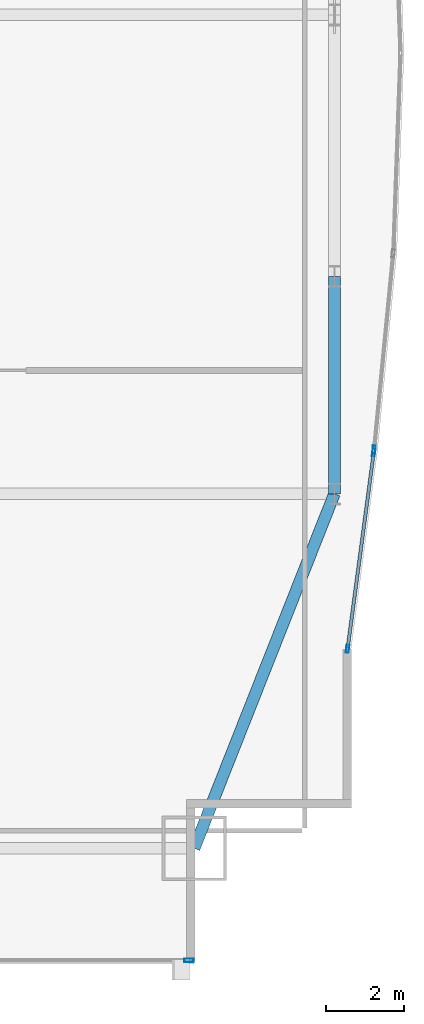
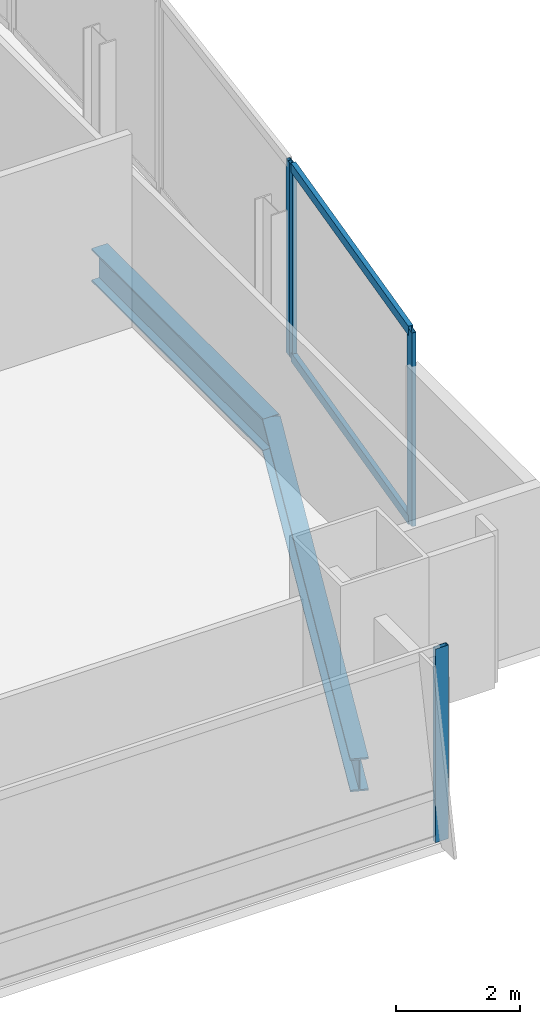
# One storey, part 21 of 35: 6 members, 2 beams, 3 elements without a shape of their own.
"""IFC4 building model written with IfcOpenShell, lengths in metres."""

from ifc_helpers import new_model, si_unit, direction, frame, origin, origin_2d, place, context, subcontext, project, spatial, hollow_rectangle, i_section, extrude, material, material_profile, profile_set, type_object, element, aggregate, save


model = new_model("IFC4")

# Units and contexts
model_context = context("Model", 3, precision=1e-05, world=origin(), true_north=direction((0.0, 1.0)))
body_context = subcontext(model_context, "Body", "Model", "MODEL_VIEW")
ifc_project = project(units=[si_unit("LENGTHUNIT", "METRE"), si_unit("AREAUNIT", "SQUARE_METRE"), si_unit("VOLUMEUNIT", "CUBIC_METRE"), si_unit("PLANEANGLEUNIT", "RADIAN"), si_unit("MASSUNIT", "GRAM", prefix="KILO")], contexts=[model_context])

# Site, building, storey
site_placement = place(None, origin())
site = spatial("IfcSite", under=ifc_project, at=site_placement, CompositionType="ELEMENT")
building_placement = place(site_placement, origin())
building = spatial("IfcBuilding", under=site, at=building_placement, Name="Khoronbel Lancet Exchange", CompositionType="ELEMENT")
storey_placement = place(building_placement, frame((0.0, 0.0, 69.800048828125)))
storey = spatial("IfcBuildingStorey", under=building, at=storey_placement, Name="L16", CompositionType="ELEMENT", Elevation=69.800048828125)

# Beams
ifc_material_1 = material(Name="Steel S355", Category="steel")
ifc_material_profile_1 = material_profile(ifc_material_1, i_section(OverallWidth=0.300048828125, OverallDepth=0.64990234375, WebThickness=0.01611328125, FlangeThickness=0.031005859375, at=origin_2d()), Name="HEB 650")
ifc_profile_set_1 = profile_set([ifc_material_profile_1], Name="Steel S355")
beam_type = type_object("IfcBeamType", Name="BM-BSP1", PredefinedType="SPANDREL", material=ifc_profile_set_1)
beam_1_placement = place(storey_placement, frame((68.050048828125, 10.14990234375, -0.505126953125), z_axis=(0.367828403855, 0.929893684954, 0.0), x_axis=(-0.929893684954, 0.367828403855, 0.0)))
element("IfcBeam", 1, at=beam_1_placement, inside=storey, type_object=beam_type, Name="Level L16 perimeter spandrel beam SP10", PredefinedType="SPANDREL", context=body_context, shape_type="SweptSolid", body=[
    extrude(i_section(OverallWidth=0.300048828125, OverallDepth=0.64990234375, WebThickness=0.01611328125, FlangeThickness=0.031005859375, at=origin_2d()), origin(), (0.0, 0.0, 1.0), 9.732421875),
])
beam_2_placement = place(storey_placement, frame((71.6298828125, 19.199951171875, -0.505126953125), z_axis=(0.0, 1.0, 0.0), x_axis=(-1.0, 0.0, 0.0)))
element("IfcBeam", 2, at=beam_2_placement, inside=storey, type_object=beam_type, Name="Level L16 perimeter spandrel beam SP11", PredefinedType="SPANDREL", context=body_context, shape_type="SweptSolid", body=[
    extrude(i_section(OverallWidth=0.300048828125, OverallDepth=0.64990234375, WebThickness=0.01611328125, FlangeThickness=0.031005859375, at=origin_2d()), origin(), (0.0, 0.0, 1.0), 5.550048828125),
])

# Curtain wall, member
ifc_material_2 = material(Name="Low-E Solar Control Insulating Glass", Category="glass")
curtain_wall_type_1 = type_object("IfcCurtainWallType", Name="CW-1", PredefinedType="NOTDEFINED", material=ifc_material_2)
curtain_wall_1_placement = place(storey_placement, origin())
curtain_wall_1 = element("IfcCurtainWall", 3, at=curtain_wall_1_placement, inside=storey, type_object=curtain_wall_type_1, Name="Unitised curtain wall CW-L16-SEV", PredefinedType="NOTDEFINED")
ifc_material_3 = material(Name="Bronze-Anodised Aluminium 6063-T6", Category="aluminium")
ifc_material_profile_2 = material_profile(ifc_material_3, hollow_rectangle(XDim=0.0849609375, YDim=0.239990234375, WallThickness=0.006103515625, at=origin_2d()), Name="ALU MULLION 85x240")
ifc_profile_set_2 = profile_set([ifc_material_profile_2], Name="Bronze-Anodised Aluminium 6063-T6")
member_type_1 = type_object("IfcMemberType", Name="MEM-CWM1", PredefinedType="MULLION", material=ifc_profile_set_2)
member_1_placement = place(storey_placement, frame((67.91748046875, 7.2900390625, 0.0), z_axis=(0.0, 0.0, 1.0), x_axis=(0.0, 1.0, 0.0)))
member_1 = element("IfcMember", 4, at=member_1_placement, type_object=member_type_1, Name="CW1 mullion 2", PredefinedType="MULLION", context=body_context, shape_type="SweptSolid", body=[
    extrude(hollow_rectangle(XDim=0.0849609375, YDim=0.239990234375, WallThickness=0.006103515625, at=origin_2d()), origin(), (0.0, 0.0, 1.0), 3.820068359375),
])
aggregate(curtain_wall_1, [member_1])

curtain_wall_type_2 = type_object("IfcCurtainWallType", Name="CW-4", PredefinedType="NOTDEFINED", material=ifc_material_2)
curtain_wall_2_placement = place(storey_placement, origin())
curtain_wall_2 = element("IfcCurtainWall", 5, at=curtain_wall_2_placement, inside=storey, type_object=curtain_wall_type_2, Name="Unitised curtain wall CW-L16-E21", PredefinedType="NOTDEFINED")
ifc_material_profile_3 = material_profile(ifc_material_3, hollow_rectangle(XDim=0.074951171875, YDim=0.199951171875, WallThickness=0.0048828125, at=origin_2d()), Name="ALU MULLION 75x200")
ifc_profile_set_3 = profile_set([ifc_material_profile_3], Name="Bronze-Anodised Aluminium 6063-T6")
member_type_2 = type_object("IfcMemberType", Name="MEM-CWM2", PredefinedType="MULLION", material=ifc_profile_set_3)
member_2_placement = place(storey_placement, frame((72.641845703125, 20.330810546875, 0.0), z_axis=(0.0, 0.0, 1.0), x_axis=(0.995271261573, -0.097134524689, 0.0)))
member_2 = element("IfcMember", 6, at=member_2_placement, type_object=member_type_2, Name="CW4 mullion 2", PredefinedType="MULLION", context=body_context, shape_type="SweptSolid", body=[
    extrude(hollow_rectangle(XDim=0.074951171875, YDim=0.199951171875, WallThickness=0.0048828125, at=origin_2d()), origin(), (0.0, 0.0, 1.0), 3.820068359375),
])
aggregate(curtain_wall_2, [member_2])

# Curtain wall, members
curtain_wall_3_placement = place(storey_placement, origin())
curtain_wall_3 = element("IfcCurtainWall", 7, at=curtain_wall_3_placement, inside=storey, type_object=curtain_wall_type_2, Name="Unitised curtain wall CW-L16-E22", PredefinedType="NOTDEFINED")
member_3_placement = place(storey_placement, frame((72.63330078125, 20.25634765625, 0.0), z_axis=(0.0, 0.0, 1.0), x_axis=(0.991229091757, -0.132154786724, 0.0)))
member_3 = element("IfcMember", 8, at=member_3_placement, type_object=member_type_2, Name="CW4 mullion 1", PredefinedType="MULLION", context=body_context, shape_type="SweptSolid", body=[
    extrude(hollow_rectangle(XDim=0.074951171875, YDim=0.199951171875, WallThickness=0.0048828125, at=origin_2d()), origin(), (0.0, 0.0, 1.0), 3.820068359375),
])
member_4_placement = place(storey_placement, frame((71.96484375, 15.2431640625, 0.0), z_axis=(0.0, 0.0, 1.0), x_axis=(0.991229091757, -0.132154786724, 0.0)))
member_4 = element("IfcMember", 9, at=member_4_placement, type_object=member_type_2, Name="CW4 mullion 2", PredefinedType="MULLION", context=body_context, shape_type="SweptSolid", body=[
    extrude(hollow_rectangle(XDim=0.074951171875, YDim=0.199951171875, WallThickness=0.0048828125, at=origin_2d()), origin(), (0.0, 0.0, 1.0), 3.820068359375),
])
ifc_material_profile_4 = material_profile(ifc_material_3, hollow_rectangle(XDim=0.0849609375, YDim=0.179931640625, WallThickness=0.0048828125, at=origin_2d()), Name="ALU TRANSOM 85x180")
ifc_profile_set_4 = profile_set([ifc_material_profile_4], Name="Bronze-Anodised Aluminium 6063-T6")
member_type_3 = type_object("IfcMemberType", Name="MEM-CWT1", PredefinedType="USERDEFINED", material=ifc_profile_set_4)
member_5_placement = place(storey_placement, frame((72.62841796875, 20.21923828125, 0.04248046875), z_axis=(-0.132147672686, -0.991230040204, 0.0), x_axis=(0.991230040204, -0.132147672686, 0.0)))
member_5 = element("IfcMember", 10, at=member_5_placement, type_object=member_type_3, Name="CW4 transom 1.1", ObjectType="TRANSOM", PredefinedType="USERDEFINED", context=body_context, shape_type="SweptSolid", body=[
    extrude(hollow_rectangle(XDim=0.0849609375, YDim=0.179931640625, WallThickness=0.0048828125, at=origin_2d()), origin(), (0.0, 0.0, 1.0), 4.982666015625),
])
member_6_placement = place(storey_placement, frame((72.62841796875, 20.21923828125, 3.77734375), z_axis=(-0.132147672686, -0.991230040204, 0.0), x_axis=(0.991230040204, -0.132147672686, 0.0)))
member_6 = element("IfcMember", 11, at=member_6_placement, type_object=member_type_3, Name="CW4 transom 1.2", ObjectType="TRANSOM", PredefinedType="USERDEFINED", context=body_context, shape_type="SweptSolid", body=[
    extrude(hollow_rectangle(XDim=0.0849609375, YDim=0.179931640625, WallThickness=0.0048828125, at=origin_2d()), origin(), (0.0, 0.0, 1.0), 4.982666015625),
])
aggregate(curtain_wall_3, [member_3, member_4, member_5, member_6])

save(model, "model.ifc")
